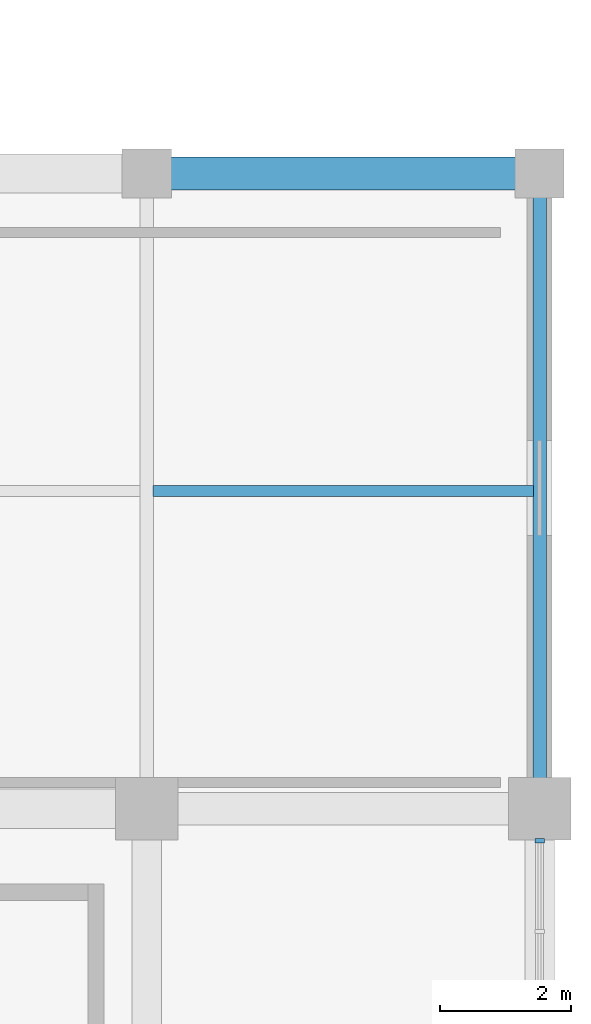
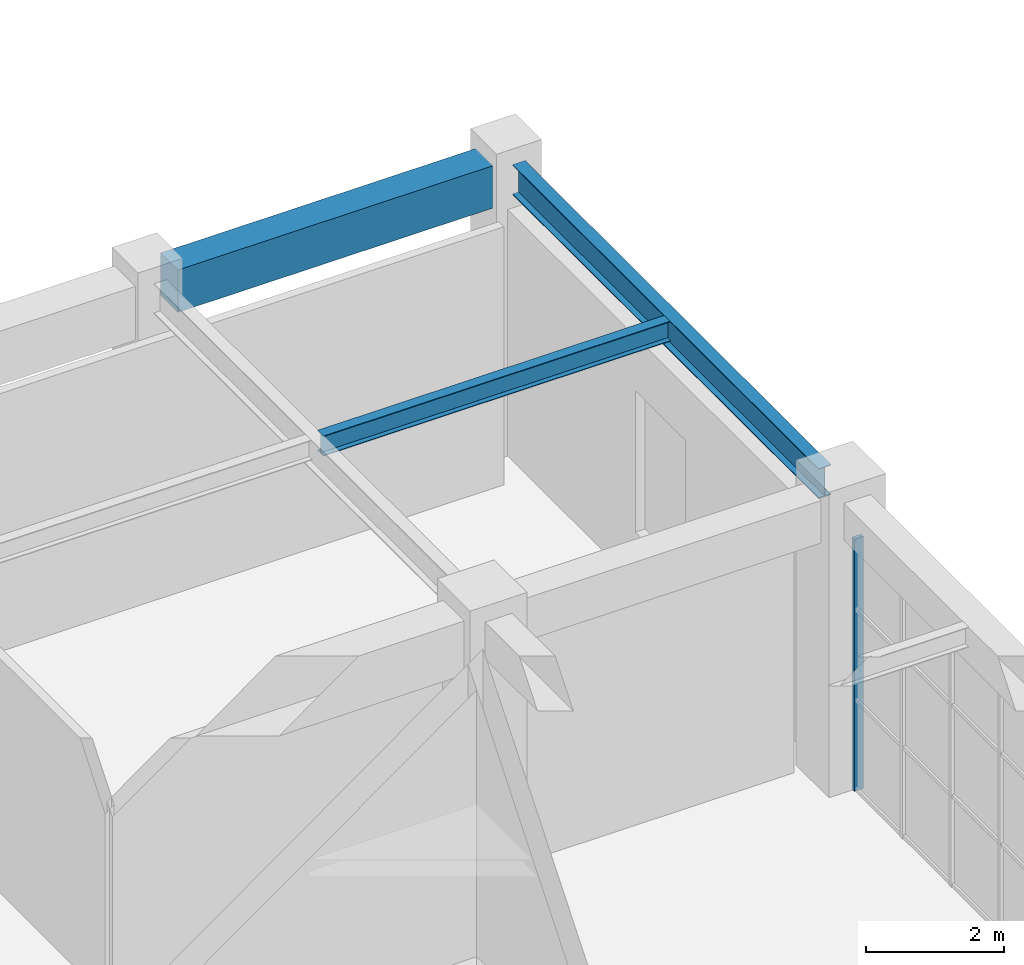
# One storey, part 55 of 120: 3 beams, 1 member, 1 element without a shape of its own.
"""IFC4 building model written with IfcOpenShell, lengths in metres."""

from ifc_helpers import new_model, si_unit, direction, frame, origin, origin_2d, place, context, subcontext, project, spatial, rectangle, i_section, extrude, material, material_profile, profile_set, type_object, element, aggregate, save


model = new_model("IFC4")

# Units and contexts
model_context = context("Model", 3, precision=1e-05, world=origin(), true_north=direction((0.0, 1.0)))
body_context = subcontext(model_context, "Body", "Model", "MODEL_VIEW")
ifc_project = project(units=[si_unit("LENGTHUNIT", "METRE"), si_unit("AREAUNIT", "SQUARE_METRE"), si_unit("VOLUMEUNIT", "CUBIC_METRE"), si_unit("PLANEANGLEUNIT", "RADIAN"), si_unit("MASSUNIT", "GRAM", prefix="KILO")], contexts=[model_context])

# Site, building, storey
site_placement = place(None, origin())
site = spatial("IfcSite", under=ifc_project, at=site_placement, CompositionType="ELEMENT")
building_placement = place(site_placement, origin())
building = spatial("IfcBuilding", under=site, at=building_placement, Name="Cuetzalor Civic Arena", CompositionType="ELEMENT")
storey_placement = place(building_placement, frame((0.0, 0.0, 6.0)))
storey = spatial("IfcBuildingStorey", under=building, at=storey_placement, Name="L01", CompositionType="ELEMENT", Elevation=6.0)

# Beam
ifc_material_1 = material(Name="Concrete C40/50", Category="concrete")
ifc_material_profile_1 = material_profile(ifc_material_1, rectangle(XDim=0.5, YDim=0.75, at=origin_2d()), Name="RC 500x750")
ifc_profile_set_1 = profile_set([ifc_material_profile_1], Name="Concrete C40/50")
beam_type_1 = type_object("IfcBeamType", Name="ConcreteFrameBeam_500x750", PredefinedType="BEAM", material=ifc_profile_set_1)
beam_1_placement = place(storey_placement, frame((76.364990234375, 34.699951171875, 4.7451171875), z_axis=(1.0, 0.0, 0.0), x_axis=(0.0, 1.0, 0.0)))
element("IfcBeam", 1, at=beam_1_placement, inside=storey, type_object=beam_type_1, Name="Frame Girder V4E-L01-X0458", PredefinedType="BEAM", context=body_context, shape_type="SweptSolid", body=[
    extrude(rectangle(XDim=0.5, YDim=0.75, at=origin_2d()), origin(), (0.0, 0.0, 1.0), 5.27001953125),
])

# Curtain wall, member
ifc_material_2 = material(Name="Anodised dark bronze aluminium and low-E solar glass", Category="aluminium")
curtain_wall_type = type_object("IfcCurtainWallType", Name="UnitisedCW_7100x4450", PredefinedType="USERDEFINED", material=ifc_material_2)
curtain_wall_placement = place(storey_placement, origin())
curtain_wall = element("IfcCurtainWall", 2, at=curtain_wall_placement, inside=storey, type_object=curtain_wall_type, Name="V4E Suite Viewing Curtain Wall L01-139", ObjectType="UNITISED CURTAIN WALL", PredefinedType="USERDEFINED")
ifc_material_3 = material(Name="Anodised dark bronze aluminium", Category="aluminium")
ifc_material_profile_2 = material_profile(ifc_material_3, rectangle(XDim=0.06494140625, YDim=0.14990234375, at=origin_2d()), Name="ALU MULLION 65x150")
ifc_profile_set_2 = profile_set([ifc_material_profile_2], Name="Anodised dark bronze aluminium")
member_type = type_object("IfcMemberType", Name="CurtainWallMullion_60x150", PredefinedType="MULLION", material=ifc_profile_set_2)
member_placement = place(storey_placement, frame((82.0, 24.510498046875, 0.0), z_axis=(0.0, 0.0, 1.0), x_axis=(0.0, -1.0, 0.0)))
member = element("IfcMember", 3, at=member_placement, type_object=member_type, Name="CW-39 mullion 1", PredefinedType="MULLION", context=body_context, shape_type="SweptSolid", body=[
    extrude(rectangle(XDim=0.06494140625, YDim=0.14990234375, at=origin_2d()), origin(), (0.0, 0.0, 1.0), 4.4599609375),
])
aggregate(curtain_wall, [member])

# Beams
ifc_material_4 = material(Name="Steel S355", Category="steel")
ifc_material_profile_3 = material_profile(ifc_material_4, i_section(OverallWidth=0.1708984375, OverallDepth=0.35498046875, WebThickness=0.007080078125, FlangeThickness=0.01171875, at=origin_2d()), Name="W360x51")
ifc_profile_set_3 = profile_set([ifc_material_profile_3], Name="Steel S355")
beam_type_2 = type_object("IfcBeamType", Name="SecondaryFloorJoist_W360", PredefinedType="JOIST", material=ifc_profile_set_3)
beam_2_placement = place(storey_placement, frame((76.096435546875, 29.85009765625, 4.9423828125), z_axis=(1.0, 0.0, 0.0), x_axis=(0.0, 1.0, 0.0)))
element("IfcBeam", 4, at=beam_2_placement, inside=storey, type_object=beam_type_2, Name="Secondary Floor Joist V4E-L01-0160", PredefinedType="JOIST", context=body_context, shape_type="SweptSolid", body=[
    extrude(i_section(OverallWidth=0.1708984375, OverallDepth=0.35498046875, WebThickness=0.007080078125, FlangeThickness=0.01171875, at=origin_2d()), origin(), (0.0, 0.0, 1.0), 5.80712890625),
])
ifc_material_5 = material(Name="Steel S355", Category="steel")
ifc_material_profile_4 = material_profile(ifc_material_5, i_section(OverallWidth=0.208984375, OverallDepth=0.532958984375, WebThickness=0.01025390625, FlangeThickness=0.015625, at=origin_2d()), Name="W530x92")
ifc_profile_set_4 = profile_set([ifc_material_profile_4], Name="Steel S355")
beam_type_3 = type_object("IfcBeamType", Name="SteelCollarGirder_W530", PredefinedType="BEAM", material=ifc_profile_set_4)
beam_3_placement = place(storey_placement, frame((82.0, 25.465087890625, 4.853515625), z_axis=(0.0, 1.0, 0.0), x_axis=(-1.0, 0.0, 0.0)))
element("IfcBeam", 5, at=beam_3_placement, inside=storey, type_object=beam_type_3, Name="Frame Girder V4E-L01-Y0500", PredefinedType="BEAM", context=body_context, shape_type="SweptSolid", body=[
    extrude(i_section(OverallWidth=0.208984375, OverallDepth=0.532958984375, WebThickness=0.01025390625, FlangeThickness=0.015625, at=origin_2d()), origin(), (0.0, 0.0, 1.0), 8.869873046875),
])

save(model, "model.ifc")
